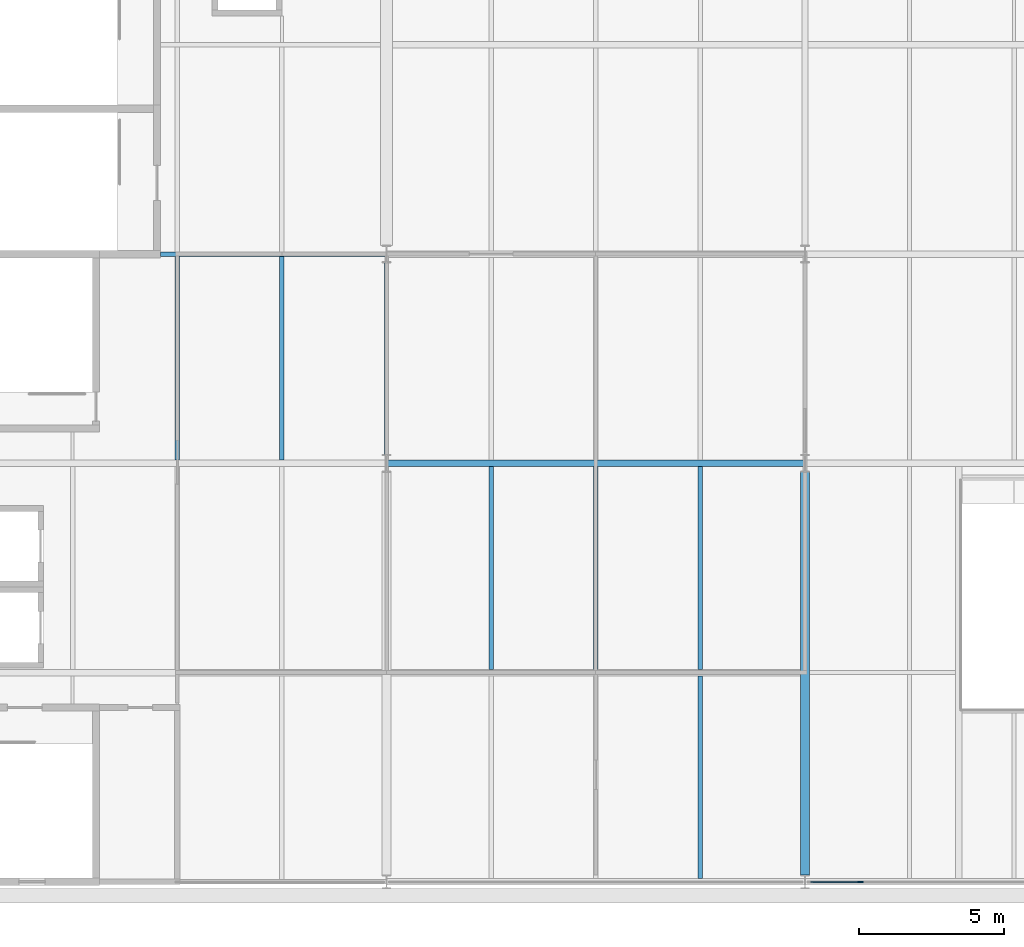
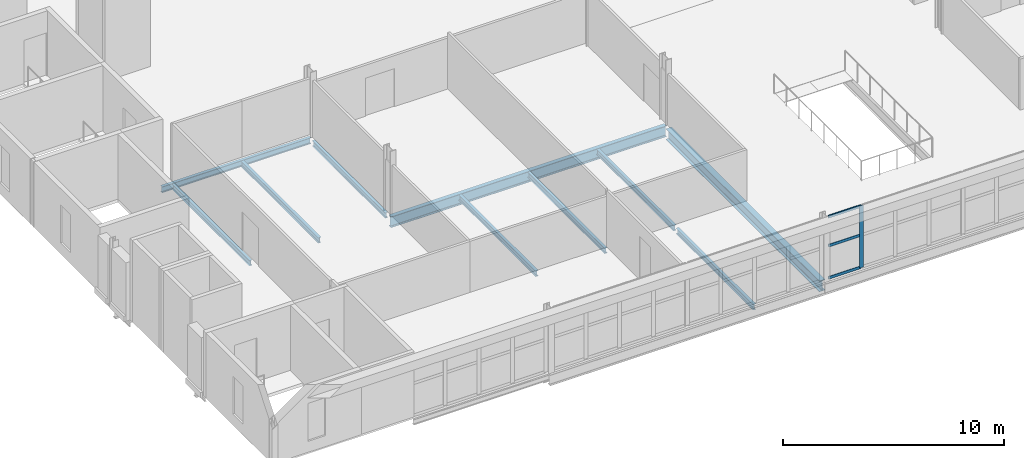
# One storey, part 23 of 142: 10 beams, 4 members, 1 element without a shape of its own.
"""IFC4 building model written with IfcOpenShell, lengths in metres."""

import ifcopenshell
import ifcopenshell.guid

model = None  # the IFC model being written
_history = None  # IfcOwnerHistory: only IFC2X3 demands one
_inside = {}  # id of a spatial element -> (the spatial element, [elements in it])
_under = {}  # id of a project, library or spatial element -> (it, [spatial elements below it])
_declared = {}  # id of a project -> (the project, [libraries it declares])
_typed = {}  # id of a type object -> (the type object, [elements of that type])
_made_of = {}  # id of a material, layer set ... -> (it, [elements and type objects made of it])


def new_model(schema):
    """Start an empty IFC model of exactly this schema.

    Asked for "IFC4X3", IfcOpenShell would pick the latest addendum, in which some entities
    have other attributes; the version numbers below select the first issue.
    IFC2X3 requires an IfcOwnerHistory on every rooted entity: one is made here for all.
    """
    global model, _history
    if schema == "IFC4X3":
        model = ifcopenshell.file(schema_version=(4, 3, 0, 0))
    else:
        model = ifcopenshell.file(schema=schema)
    _inside.clear()
    _under.clear()
    _declared.clear()
    _typed.clear()
    _made_of.clear()
    _history = None
    if model.schema == "IFC2X3":
        org = make("IfcOrganization", Name="unknown")
        user = make(
            "IfcPersonAndOrganization",
            ThePerson=make("IfcPerson", FamilyName="unknown"),
            TheOrganization=org,
        )
        app = make(
            "IfcApplication",
            ApplicationDeveloper=org,
            Version="unknown",
            ApplicationFullName="unknown",
            ApplicationIdentifier="unknown",
        )
        _history = make(
            "IfcOwnerHistory",
            OwningUser=user,
            OwningApplication=app,
            ChangeAction="ADDED",
            CreationDate=0,
        )
    return model


def make(cls, **values):
    """One entity of the class cls with the attributes given. An attribute that is None is left unset."""
    return model.create_entity(
        cls, **{name: value for name, value in values.items() if value is not None}
    )


def rooted(cls, **values):
    """An entity with a GlobalId (a new one), such as an element, a storey or a relation."""
    return make(cls, GlobalId=ifcopenshell.guid.new(), OwnerHistory=_history, **values)


def si_unit(unit_type, name, prefix=None):
    """IfcSIUnit, for example si_unit("LENGTHUNIT", "METRE", prefix="MILLI")."""
    return make("IfcSIUnit", UnitType=unit_type, Prefix=prefix, Name=name)


def assignment(units):
    """IfcUnitAssignment: the units of a project."""
    return None if units is None else make("IfcUnitAssignment", Units=units)


def point(xyz):
    """IfcCartesianPoint."""
    return None if xyz is None else make("IfcCartesianPoint", Coordinates=xyz)


def direction(xyz):
    """IfcDirection."""
    return None if xyz is None else make("IfcDirection", DirectionRatios=xyz)


def frame(location, z_axis=None, x_axis=None):
    """IfcAxis2Placement3D, a coordinate frame: its origin and axes. An axis left out is left unset."""
    return make(
        "IfcAxis2Placement3D",
        Location=point(location),
        Axis=direction(z_axis),
        RefDirection=direction(x_axis),
    )


def frame_2d(location, x_axis=None):
    """IfcAxis2Placement2D, a coordinate frame in the plane: its origin and x axis."""
    return make(
        "IfcAxis2Placement2D", Location=point(location), RefDirection=direction(x_axis)
    )


def origin():
    """The frame at (0, 0, 0) with its axes left unset."""
    return frame((0.0, 0.0, 0.0))


def origin_2d():
    """The frame at (0, 0) in the plane with its x axis left unset."""
    return frame_2d((0.0, 0.0))


def place(relative_to, where):
    """IfcLocalPlacement: puts the frame where relative to a parent placement (None: the world)."""
    return make(
        "IfcLocalPlacement", PlacementRelTo=relative_to, RelativePlacement=where
    )


def context(
    kind, dimensions, precision=None, world=None, true_north=None, identifier=None
):
    """IfcGeometricRepresentationContext, for example the 3D "Model" context."""
    return make(
        "IfcGeometricRepresentationContext",
        ContextIdentifier=identifier,
        ContextType=kind,
        CoordinateSpaceDimension=dimensions,
        Precision=precision,
        WorldCoordinateSystem=world,
        TrueNorth=true_north,
    )


def subcontext(parent, identifier, kind, view, scale=None):
    """IfcGeometricRepresentationSubContext, for example "Body" below "Model"."""
    return make(
        "IfcGeometricRepresentationSubContext",
        ContextIdentifier=identifier,
        ContextType=kind,
        ParentContext=parent,
        TargetScale=scale,
        TargetView=view,
    )


def project(units=None, contexts=None):
    """IfcProject with its units and contexts."""
    return rooted(
        "IfcProject",
        Name="project",
        RepresentationContexts=contexts,
        UnitsInContext=assignment(units),
    )


def spatial(cls, under=None, at=None, **own):
    """A site, building, storey or space (cls), placed at a placement, below another one or the project."""
    s = rooted(cls, ObjectPlacement=at, **own)
    if under is not None:
        _under.setdefault(under.id(), (under, []))[1].append(s)
    return s


def profile(cls, at=None, kind="AREA", **sizes):
    """A parametric profile (cls). Its sizes go by their IFC names, for example OverallWidth=200.0."""
    return make(cls, ProfileType=kind, Position=at, **sizes)


def rectangle(**sizes):
    """IfcRectangleProfileDef."""
    return profile("IfcRectangleProfileDef", **sizes)


def i_section(**sizes):
    """IfcIShapeProfileDef."""
    return profile("IfcIShapeProfileDef", **sizes)


def extrude(swept, where, along, depth):
    """IfcExtrudedAreaSolid: the profile swept, set in the frame where, extruded along a direction by depth."""
    return make(
        "IfcExtrudedAreaSolid",
        SweptArea=swept,
        Position=where,
        ExtrudedDirection=direction(along),
        Depth=depth,
    )


def shape(context_of_items, identifier, shape_type, items):
    """IfcShapeRepresentation: the items that make up one representation, for example the "Body"."""
    return make(
        "IfcShapeRepresentation",
        ContextOfItems=context_of_items,
        RepresentationIdentifier=identifier,
        RepresentationType=shape_type,
        Items=items,
    )


def material(Name=None, Category=None):
    """IfcMaterial."""
    return make("IfcMaterial", Name=Name, Category=Category)


def material_profile(
    of_material, cross_section, Name=None, Category=None, Priority=None
):
    """IfcMaterialProfile: a cross section and its material."""
    return make(
        "IfcMaterialProfile",
        Name=Name,
        Material=of_material,
        Profile=cross_section,
        Priority=Priority,
        Category=Category,
    )


def profile_set(profiles, Name=None, composite=None):
    """IfcMaterialProfileSet."""
    return make(
        "IfcMaterialProfileSet",
        Name=Name,
        MaterialProfiles=profiles,
        CompositeProfile=composite,
    )


def made_of(thing, what):
    """Note that an element or type object is made of a material, layer set ...; save() writes the relation."""
    if what is not None:
        _made_of.setdefault(what.id(), (what, []))[1].append(thing)
    return thing


def type_object(cls, material=None, **own):
    """A type object (cls), such as IfcWallType, which elements share."""
    return made_of(rooted(cls, **own), material)


def element(
    cls,
    number,
    at=None,
    inside=None,
    cuts=None,
    type_object=None,
    material=None,
    context=None,
    identifier="Body",
    shape_type=None,
    held_by="IfcProductDefinitionShape",
    body=None,
    shapes=None,
    **own,
):
    """One element of the class cls, such as IfcWall. Its Tag is "e" and its number.

    at: its placement. inside: the storey or other place that contains it. cuts: it is an
    opening in that element (IfcRelVoidsElement). A single representation is given by context,
    identifier, shape_type and body (its items); several are given by shapes. held_by: the class
    of the entity that holds the representations. save() writes the other relations.
    """
    e = rooted(cls, Tag="e%d" % number, ObjectPlacement=at, **own)
    if body is not None:
        shapes = [shape(context, identifier, shape_type, body)]
    if shapes is not None:
        e.Representation = make(held_by, Representations=shapes)
    if inside is not None:
        _inside.setdefault(inside.id(), (inside, []))[1].append(e)
    if cuts is not None:
        rooted(
            "IfcRelVoidsElement", RelatingBuildingElement=cuts, RelatedOpeningElement=e
        )
    if type_object is not None:
        _typed.setdefault(type_object.id(), (type_object, []))[1].append(e)
    return made_of(e, material)


def aggregate(whole, parts):
    """IfcRelAggregates: a whole, such as a stair, and the parts it consists of."""
    return rooted("IfcRelAggregates", RelatingObject=whole, RelatedObjects=parts)


def save(model, path):
    """Write the relations noted so far, then the file.

    IfcRelAggregates (storeys below a building ...), IfcRelContainedInSpatialStructure (elements
    in a storey), IfcRelDefinesByType, IfcRelAssociatesMaterial and IfcRelDeclares: one each for
    every whole, place, type object, material and project.
    """
    for whole, parts in _under.values():
        aggregate(whole, parts)
    for where, things in _inside.values():
        rooted(
            "IfcRelContainedInSpatialStructure",
            RelatedElements=things,
            RelatingStructure=where,
        )
    for kind, things in _typed.values():
        rooted("IfcRelDefinesByType", RelatedObjects=things, RelatingType=kind)
    for what, things in _made_of.values():
        rooted("IfcRelAssociatesMaterial", RelatedObjects=things, RelatingMaterial=what)
    for by, libraries in _declared.values():
        rooted("IfcRelDeclares", RelatingContext=by, RelatedDefinitions=libraries)
    model.write(path)


model = new_model("IFC4")

# Units and contexts
model_context = context("Model", 3, precision=1e-05, world=origin(), true_north=direction((0.0, 1.0)))
body_context = subcontext(model_context, "Body", "Model", "MODEL_VIEW")
ifc_project = project(units=[si_unit("LENGTHUNIT", "METRE"), si_unit("AREAUNIT", "SQUARE_METRE"), si_unit("VOLUMEUNIT", "CUBIC_METRE"), si_unit("PLANEANGLEUNIT", "RADIAN"), si_unit("MASSUNIT", "GRAM", prefix="KILO")], contexts=[model_context])

# Site, building, storey
site_placement = place(None, origin())
site = spatial("IfcSite", under=ifc_project, at=site_placement, CompositionType="ELEMENT")
building_placement = place(site_placement, origin())
building = spatial("IfcBuilding", under=site, at=building_placement, Name="Kupolbacken Congress Centre", CompositionType="ELEMENT")
storey_placement = place(building_placement, frame((0.0, 0.0, 14.39990234375)))
storey = spatial("IfcBuildingStorey", under=building, at=storey_placement, Name="L04", CompositionType="ELEMENT", Elevation=14.39990234375)

# Beams
ifc_material_1 = material(Name="Steel S355", Category="steel")
ifc_material_profile_1 = material_profile(ifc_material_1, i_section(OverallWidth=0.14990234375, OverallDepth=0.300048828125, WebThickness=0.007080078125, FlangeThickness=0.0107421875, FilletRadius=0.014892578125, at=origin_2d()), Name="IPE 300")
ifc_profile_set_1 = profile_set([ifc_material_profile_1], Name="Steel S355")
beam_type_1 = type_object("IfcBeamType", Name="B04 beam IPE 300", PredefinedType="BEAM", material=ifc_profile_set_1)
beam_1_placement = place(storey_placement, frame((21.60009765625, 43.5, -0.329833984375), z_axis=(0.0, 1.0, 0.0), x_axis=(-1.0, 0.0, 0.0)))
element("IfcBeam", 1, at=beam_1_placement, inside=storey, type_object=beam_type_1, Name="S/floor/F/L04/G005", PredefinedType="BEAM", context=body_context, shape_type="SweptSolid", body=[
    extrude(i_section(OverallWidth=0.14990234375, OverallDepth=0.300048828125, WebThickness=0.007080078125, FlangeThickness=0.0107421875, FilletRadius=0.014892578125, at=origin_2d()), origin(), (0.0, 0.0, 1.0), 6.60009765625),
])
for number, where, z_axis, x_axis, name in (
    (2, (14.39990234375, 43.31005859375, -0.329833984375), (0.0, 1.0, 0.0), (-1.0, 0.0, 0.0), "S/floor/F/L04/S045"),
    (3, (18.0, 43.31005859375, -0.329833984375), (0.0, 1.0, 0.0), (-1.0, 0.0, 0.0), "S/floor/F/L04/S048"),
):
    element("IfcBeam", number, at=place(storey_placement, frame(where, z_axis=z_axis, x_axis=x_axis)), inside=storey, type_object=beam_type_1, Name=name, PredefinedType="BEAM", context=body_context, shape_type="SweptSolid", body=[
        extrude(i_section(OverallWidth=0.14990234375, OverallDepth=0.300048828125, WebThickness=0.007080078125, FlangeThickness=0.0107421875, FilletRadius=0.014892578125, at=origin_2d()), origin(), (0.0, 0.0, 1.0), 7.010009765625),
    ])
for number, where, z_axis, x_axis, name in (
    (4, (25.199951171875, 36.110107421875, -0.329833984375), (0.0, 1.0, 0.0), (-1.0, 0.0, 0.0), "S/floor/F/L04/S050"),
    (5, (28.800048828125, 36.110107421875, -0.329833984375), (0.0, 1.0, 0.0), (-1.0, 0.0, 0.0), "S/floor/F/L04/S053"),
    (6, (32.39990234375, 28.909912109375, -0.329833984375), (0.0, 1.0, 0.0), (-1.0, 0.0, 0.0), "S/floor/F/L04/S055"),
    (7, (32.39990234375, 36.110107421875, -0.329833984375), (0.0, 1.0, 0.0), (-1.0, 0.0, 0.0), "S/floor/F/L04/S056"),
):
    element("IfcBeam", number, at=place(storey_placement, frame(where, z_axis=z_axis, x_axis=x_axis)), inside=storey, type_object=beam_type_1, Name=name, PredefinedType="BEAM", context=body_context, shape_type="SweptSolid", body=[
        extrude(i_section(OverallWidth=0.14990234375, OverallDepth=0.300048828125, WebThickness=0.007080078125, FlangeThickness=0.0107421875, FilletRadius=0.014892578125, at=origin_2d()), origin(), (0.0, 0.0, 1.0), 6.97998046875),
    ])
ifc_material_2 = material(Name="Steel S355", Category="steel")
ifc_material_profile_2 = material_profile(ifc_material_2, i_section(OverallWidth=0.159912109375, OverallDepth=0.330078125, WebThickness=0.007568359375, FlangeThickness=0.011474609375, FilletRadius=0.01806640625, at=origin_2d()), Name="IPE 330")
ifc_profile_set_2 = profile_set([ifc_material_profile_2], Name="Steel S355")
beam_type_2 = type_object("IfcBeamType", Name="B05 beam IPE 330", PredefinedType="BEAM", material=ifc_profile_set_2)
beam_2_placement = place(storey_placement, frame((13.824951171875, 50.39990234375, -0.344970703125), z_axis=(1.0, 0.0, 0.0), x_axis=(0.0, 1.0, 0.0)))
element("IfcBeam", 8, at=beam_2_placement, inside=storey, type_object=beam_type_2, Name="S/floor/F/L04/R025", PredefinedType="BEAM", context=body_context, shape_type="SweptSolid", body=[
    extrude(i_section(OverallWidth=0.159912109375, OverallDepth=0.330078125, WebThickness=0.007568359375, FlangeThickness=0.011474609375, FilletRadius=0.01806640625, at=origin_2d()), origin(), (0.0, 0.0, 1.0), 7.767333984375),
])
ifc_material_3 = material(Name="Steel S355", Category="steel")
ifc_material_profile_3 = material_profile(ifc_material_3, i_section(OverallWidth=0.219970703125, OverallDepth=0.60009765625, WebThickness=0.011962890625, FlangeThickness=0.01904296875, FilletRadius=0.02392578125, at=origin_2d()), Name="IPE 600")
ifc_profile_set_3 = profile_set([ifc_material_profile_3], Name="Steel S355")
beam_type_3 = type_object("IfcBeamType", Name="B11 beam IPE 600", PredefinedType="BEAM", material=ifc_profile_set_3)
beam_3_placement = place(storey_placement, frame((21.607666015625, 43.199951171875, -0.47998046875), z_axis=(1.0, 0.0, 0.0), x_axis=(0.0, 1.0, 0.0)))
element("IfcBeam", 9, at=beam_3_placement, inside=storey, type_object=beam_type_3, Name="S/floor/F/L04/R021", PredefinedType="BEAM", context=body_context, shape_type="SweptSolid", body=[
    extrude(i_section(OverallWidth=0.219970703125, OverallDepth=0.60009765625, WebThickness=0.011962890625, FlangeThickness=0.01904296875, FilletRadius=0.02392578125, at=origin_2d()), origin(), (0.0, 0.0, 1.0), 14.384521484375),
])
ifc_material_4 = material(Name="Steel S355", Category="steel")
ifc_material_profile_4 = material_profile(ifc_material_4, i_section(OverallWidth=0.300048828125, OverallDepth=0.60009765625, WebThickness=0.015380859375, FlangeThickness=0.030029296875, FilletRadius=0.027099609375, at=origin_2d()), Name="HEB 600")
ifc_profile_set_4 = profile_set([ifc_material_profile_4], Name="Steel S355")
beam_type_4 = type_object("IfcBeamType", Name="B15 beam HEB 600", PredefinedType="BEAM", material=ifc_profile_set_4)
beam_4_placement = place(storey_placement, frame((36.0, 29.02490234375, -0.47998046875), z_axis=(0.0, 1.0, 0.0), x_axis=(-1.0, 0.0, 0.0)))
element("IfcBeam", 10, at=beam_4_placement, inside=storey, type_object=beam_type_4, Name="S/floor/F/L04/G006", PredefinedType="BEAM", context=body_context, shape_type="SweptSolid", body=[
    extrude(i_section(OverallWidth=0.300048828125, OverallDepth=0.60009765625, WebThickness=0.015380859375, FlangeThickness=0.030029296875, FilletRadius=0.027099609375, at=origin_2d()), origin(), (0.0, 0.0, 1.0), 13.875),
])

# Curtain wall, members
ifc_material_5 = material(Name="Aluminium mullion-transom frame with glass", Category="aluminium")
curtain_wall_type = type_object("IfcCurtainWallType", Name="CW1 curtain wall 7200x3600", PredefinedType="NOTDEFINED", material=ifc_material_5)
curtain_wall_placement = place(storey_placement, origin())
curtain_wall = element("IfcCurtainWall", 11, at=curtain_wall_placement, inside=storey, type_object=curtain_wall_type, Name="E/F/S/L04/416", PredefinedType="NOTDEFINED")
ifc_material_6 = material(Name="Aluminium alloy", Category="aluminium")
ifc_material_profile_5 = material_profile(ifc_material_6, rectangle(XDim=0.050048828125, YDim=0.199951171875, at=origin_2d()), Name="50 x 200")
ifc_profile_set_5 = profile_set([ifc_material_profile_5], Name="Aluminium alloy")
member_type_1 = type_object("IfcMemberType", Name="MU2 mullion 50x200", PredefinedType="MULLION", material=ifc_profile_set_5)
member_1_placement = place(storey_placement, frame((37.91259765625, 28.800048828125, 0.0), z_axis=(0.0, 0.0, 1.0), x_axis=(0.0, 1.0, 0.0)))
member_1 = element("IfcMember", 12, at=member_1_placement, type_object=member_type_1, Name="CW1 mullion 2", PredefinedType="MULLION", context=body_context, shape_type="SweptSolid", body=[
    extrude(rectangle(XDim=0.050048828125, YDim=0.199951171875, at=origin_2d()), origin(), (0.0, 0.0, 1.0), 3.420166015625),
])
ifc_material_7 = material(Name="Aluminium alloy", Category="aluminium")
ifc_material_profile_6 = material_profile(ifc_material_7, rectangle(XDim=0.050048828125, YDim=0.14990234375, at=origin_2d()), Name="50 x 150")
ifc_profile_set_6 = profile_set([ifc_material_profile_6], Name="Aluminium alloy")
member_type_2 = type_object("IfcMemberType", Name="TR2 transom 50x150", PredefinedType="MULLION", material=ifc_profile_set_6)
member_2_placement = place(storey_placement, frame((36.199951171875, 28.800048828125, 0.025146484375), z_axis=(1.0, 0.0, 0.0), x_axis=(0.0, 1.0, 0.0)))
member_2 = element("IfcMember", 13, at=member_2_placement, type_object=member_type_2, Name="CW1 transom 1.1", PredefinedType="MULLION", context=body_context, shape_type="SweptSolid", body=[
    extrude(rectangle(XDim=0.050048828125, YDim=0.14990234375, at=origin_2d()), origin(), (0.0, 0.0, 1.0), 1.6875),
])
member_3_placement = place(storey_placement, frame((36.199951171875, 28.800048828125, 1.800048828125), z_axis=(1.0, 0.0, 0.0), x_axis=(0.0, 1.0, 0.0)))
member_3 = element("IfcMember", 14, at=member_3_placement, type_object=member_type_2, Name="CW1 transom 1.2", PredefinedType="MULLION", context=body_context, shape_type="SweptSolid", body=[
    extrude(rectangle(XDim=0.050048828125, YDim=0.14990234375, at=origin_2d()), origin(), (0.0, 0.0, 1.0), 1.6875),
])
member_4_placement = place(storey_placement, frame((36.199951171875, 28.800048828125, 3.39501953125), z_axis=(1.0, 0.0, 0.0), x_axis=(0.0, 1.0, 0.0)))
member_4 = element("IfcMember", 15, at=member_4_placement, type_object=member_type_2, Name="CW1 transom 1.3", PredefinedType="MULLION", context=body_context, shape_type="SweptSolid", body=[
    extrude(rectangle(XDim=0.050048828125, YDim=0.14990234375, at=origin_2d()), origin(), (0.0, 0.0, 1.0), 1.6875),
])
aggregate(curtain_wall, [member_1, member_2, member_3, member_4])

save(model, "model.ifc")
